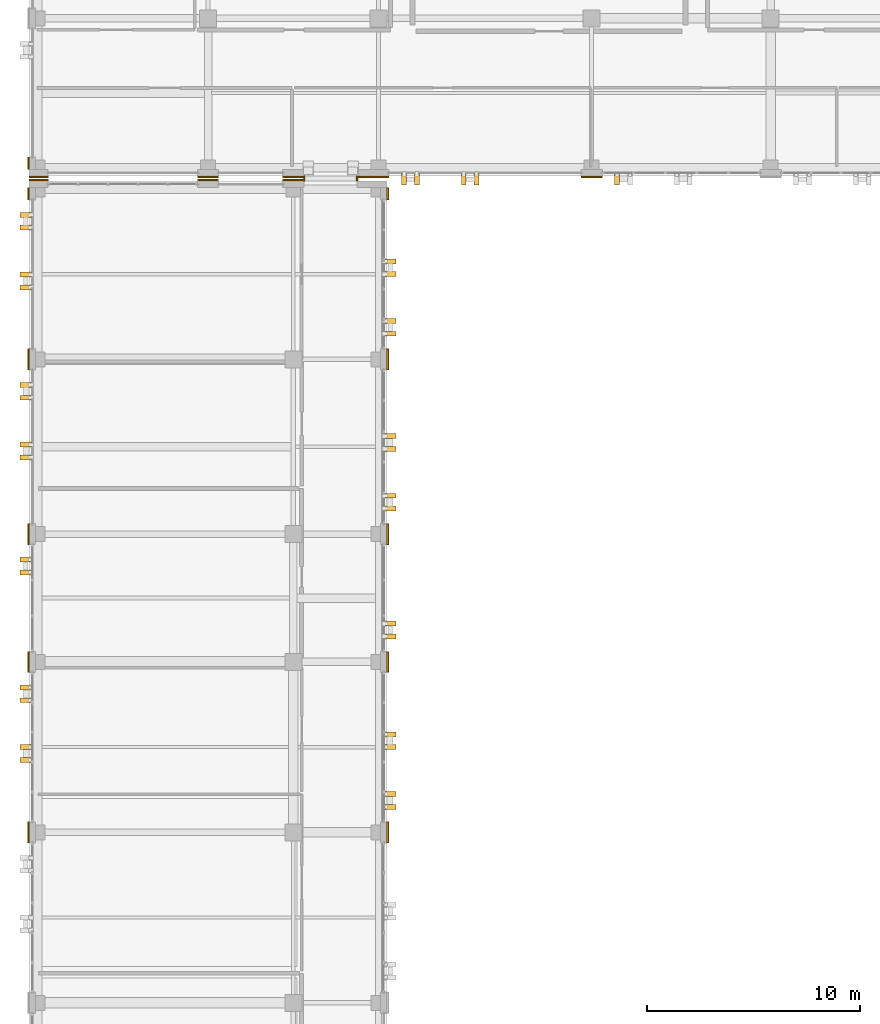
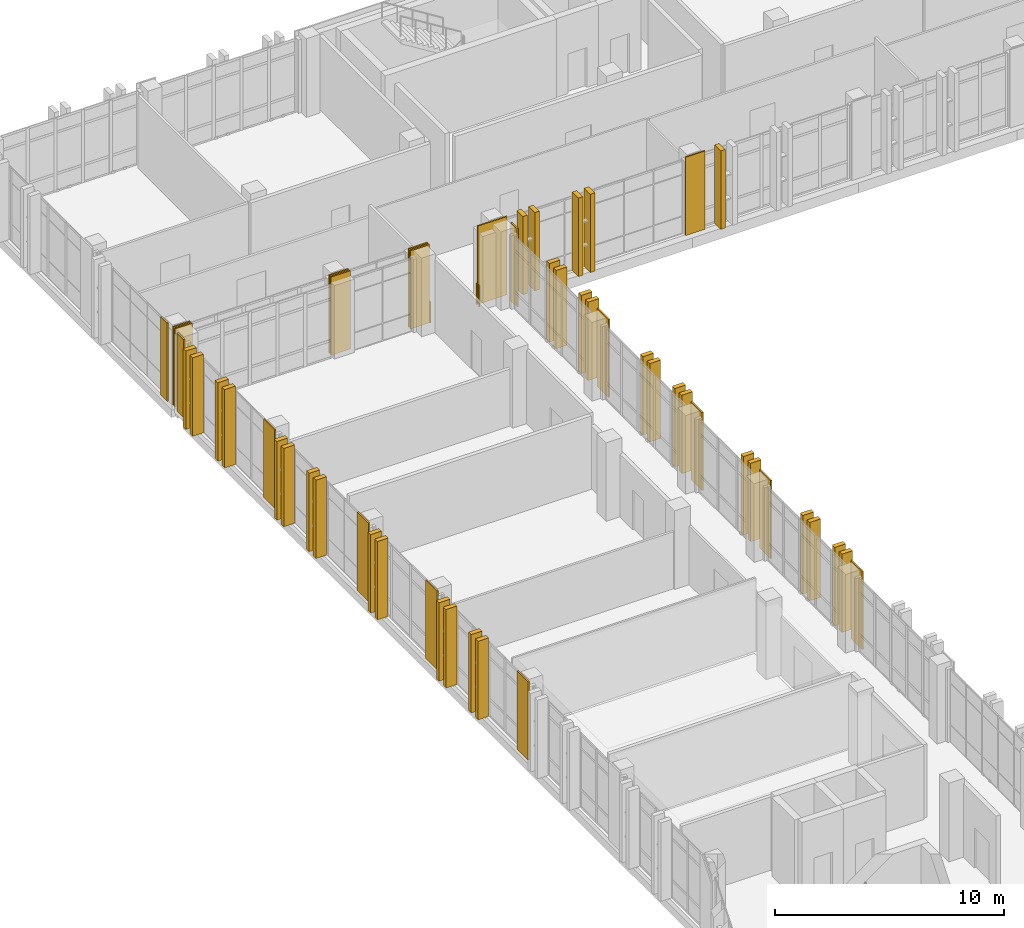
# One storey, part 182 of 193: 52 coverings, 2 railings.
"""IFC4 building model written with IfcOpenShell, lengths in metres."""

from ifc_helpers import new_model, si_unit, direction, frame, origin, origin_2d, place, context, subcontext, project, spatial, rectangle, circle, extrude, material, layer, layer_set, type_object, element, save


model = new_model("IFC4")

# Units and contexts
model_context = context("Model", 3, precision=1e-05, world=origin(), true_north=direction((0.0, 1.0)))
body_context = subcontext(model_context, "Body", "Model", "MODEL_VIEW")
ifc_project = project(units=[si_unit("LENGTHUNIT", "METRE"), si_unit("AREAUNIT", "SQUARE_METRE"), si_unit("VOLUMEUNIT", "CUBIC_METRE"), si_unit("PLANEANGLEUNIT", "RADIAN"), si_unit("MASSUNIT", "GRAM", prefix="KILO")], contexts=[model_context])

# Site, building, storey
site_placement = place(None, origin())
site = spatial("IfcSite", under=ifc_project, at=site_placement, CompositionType="ELEMENT")
building_placement = place(site_placement, origin())
building = spatial("IfcBuilding", under=site, at=building_placement, Name="Qalavern Law Courts", CompositionType="ELEMENT")
storey_placement = place(building_placement, frame((0.0, 0.0, 10.199951171875)))
storey = spatial("IfcBuildingStorey", under=building, at=storey_placement, Name="L02", CompositionType="ELEMENT", Elevation=10.199951171875)

# Railings
ifc_material_1 = material(Name="Steel S355", Category="steel")
railing_type = type_object("IfcRailingType", Name="ENV-BAL-1120", PredefinedType="BALUSTRADE", material=ifc_material_1)
for number, where, name in (
    (1, (14.909912109375, 95.97998046875, 0.0), "Bridge BR-V3-V5 joint guard L02-1"),
    (2, (17.389892578125, 95.97998046875, 0.0), "Bridge BR-V3-V5 joint guard L02-2"),
):
    element("IfcRailing", number, at=place(storey_placement, frame(where)), inside=storey, type_object=railing_type, Name=name, PredefinedType="BALUSTRADE", context=body_context, shape_type="SweptSolid", body=[
        extrude(circle(Radius=0.02392578125, at=origin_2d()), frame((0.0, 0.0, 1.09619140625), z_axis=(0.0, 1.0, 0.0), x_axis=(-1.0, 0.0, 0.0)), (0.0, 0.0, 1.0), 0.219970703125),
        extrude(circle(Radius=0.02099609375, at=origin_2d()), origin(), (0.0, 0.0, 1.0), 1.072021484375),
        extrude(circle(Radius=0.02099609375, at=origin_2d()), frame((0.0, 0.219970703125, 0.0)), (0.0, 0.0, 1.0), 1.072021484375),
    ])

# Coverings
ifc_material_2 = material(Name="Precast concrete C40/50", Category="concrete")
ifc_layer_1 = layer(ifc_material_2, 0.22998046875)
ifc_layer_set_1 = layer_set([ifc_layer_1], Name="Precast concrete C40/50")
covering_type_1 = type_object("IfcCoveringType", Name="ENV-BLD-2", PredefinedType="CLADDING", material=ifc_layer_set_1)
for number, where, z_axis, x_axis, name in (
    (3, (18.955078125, 66.60009765625, 0.005126953125), (0.0, 0.0, 1.0), (1.0, 0.0, 0.0), "Absheron stone facade blade 0261"),
    (4, (18.955078125, 67.199951171875, 0.005126953125), (0.0, 0.0, 1.0), (1.0, 0.0, 0.0), "Absheron stone facade blade 0262"),
    (5, (18.955078125, 69.39990234375, 0.005126953125), (0.0, 0.0, 1.0), (1.0, 0.0, 0.0), "Absheron stone facade blade 0263"),
    (6, (18.955078125, 70.0, 0.005126953125), (0.0, 0.0, 1.0), (1.0, 0.0, 0.0), "Absheron stone facade blade 0264"),
    (7, (18.955078125, 74.60009765625, 0.005126953125), (0.0, 0.0, 1.0), (1.0, 0.0, 0.0), "Absheron stone facade blade 0265"),
    (8, (18.955078125, 75.199951171875, 0.005126953125), (0.0, 0.0, 1.0), (1.0, 0.0, 0.0), "Absheron stone facade blade 0266"),
    (9, (18.955078125, 80.60009765625, 0.005126953125), (0.0, 0.0, 1.0), (1.0, 0.0, 0.0), "Absheron stone facade blade 0267"),
    (10, (18.955078125, 81.199951171875, 0.005126953125), (0.0, 0.0, 1.0), (1.0, 0.0, 0.0), "Absheron stone facade blade 0268"),
    (11, (18.955078125, 83.39990234375, 0.005126953125), (0.0, 0.0, 1.0), (1.0, 0.0, 0.0), "Absheron stone facade blade 0269"),
    (12, (18.955078125, 84.0, 0.005126953125), (0.0, 0.0, 1.0), (1.0, 0.0, 0.0), "Absheron stone facade blade 0270"),
    (13, (18.955078125, 88.800048828125, 0.005126953125), (0.0, 0.0, 1.0), (1.0, 0.0, 0.0), "Absheron stone facade blade 0271"),
    (14, (18.955078125, 89.39990234375, 0.005126953125), (0.0, 0.0, 1.0), (1.0, 0.0, 0.0), "Absheron stone facade blade 0272"),
    (15, (18.955078125, 91.60009765625, 0.005126953125), (0.0, 0.0, 1.0), (1.0, 0.0, 0.0), "Absheron stone facade blade 0273"),
    (16, (18.955078125, 92.199951171875, 0.005126953125), (0.0, 0.0, 1.0), (1.0, 0.0, 0.0), "Absheron stone facade blade 0274"),
    (17, (1.844970703125, 94.3798828125, 0.005126953125), (0.0, 0.0, 1.0), (-1.0, 0.0, 0.0), "Absheron stone facade blade 0275"),
    (18, (1.844970703125, 93.780029296875, 0.005126953125), (0.0, 0.0, 1.0), (-1.0, 0.0, 0.0), "Absheron stone facade blade 0276"),
    (19, (1.844970703125, 91.580078125, 0.005126953125), (0.0, 0.0, 1.0), (-1.0, 0.0, 0.0), "Absheron stone facade blade 0277"),
    (20, (1.844970703125, 90.97998046875, 0.005126953125), (0.0, 0.0, 1.0), (-1.0, 0.0, 0.0), "Absheron stone facade blade 0278"),
    (21, (1.844970703125, 86.39990234375, 0.005126953125), (0.0, 0.0, 1.0), (-1.0, 0.0, 0.0), "Absheron stone facade blade 0279"),
    (22, (1.844970703125, 85.800048828125, 0.005126953125), (0.0, 0.0, 1.0), (-1.0, 0.0, 0.0), "Absheron stone facade blade 0280"),
    (23, (1.844970703125, 83.60009765625, 0.005126953125), (0.0, 0.0, 1.0), (-1.0, 0.0, 0.0), "Absheron stone facade blade 0281"),
    (24, (1.844970703125, 83.0, 0.005126953125), (0.0, 0.0, 1.0), (-1.0, 0.0, 0.0), "Absheron stone facade blade 0282"),
    (25, (1.844970703125, 78.199951171875, 0.005126953125), (0.0, 0.0, 1.0), (-1.0, 0.0, 0.0), "Absheron stone facade blade 0283"),
    (26, (1.844970703125, 77.60009765625, 0.005126953125), (0.0, 0.0, 1.0), (-1.0, 0.0, 0.0), "Absheron stone facade blade 0284"),
    (27, (1.844970703125, 72.199951171875, 0.005126953125), (0.0, 0.0, 1.0), (-1.0, 0.0, 0.0), "Absheron stone facade blade 0285"),
    (28, (1.844970703125, 71.60009765625, 0.005126953125), (0.0, 0.0, 1.0), (-1.0, 0.0, 0.0), "Absheron stone facade blade 0286"),
    (29, (1.844970703125, 69.39990234375, 0.005126953125), (0.0, 0.0, 1.0), (-1.0, 0.0, 0.0), "Absheron stone facade blade 0287"),
    (30, (1.844970703125, 68.800048828125, 0.005126953125), (0.0, 0.0, 1.0), (-1.0, 0.0, 0.0), "Absheron stone facade blade 0288"),
    (31, (19.60009765625, 96.044921875, 0.005126953125), (0.0, 0.0, 1.0), (0.0, -1.0, 0.0), "Absheron stone facade blade 0953"),
    (32, (20.199951171875, 96.044921875, 0.005126953125), (0.0, 0.0, 1.0), (0.0, -1.0, 0.0), "Absheron stone facade blade 0954"),
    (33, (22.39990234375, 96.044921875, 0.005126953125), (0.0, 0.0, 1.0), (0.0, -1.0, 0.0), "Absheron stone facade blade 0955"),
    (34, (23.0, 96.044921875, 0.005126953125), (0.0, 0.0, 1.0), (0.0, -1.0, 0.0), "Absheron stone facade blade 0956"),
    (35, (29.60009765625, 96.044921875, 0.005126953125), (0.0, 0.0, 1.0), (0.0, -1.0, 0.0), "Absheron stone facade blade 0957"),
):
    element("IfcCovering", number, at=place(storey_placement, frame(where, z_axis=z_axis, x_axis=x_axis)), inside=storey, type_object=covering_type_1, Name=name, PredefinedType="CLADDING", context=body_context, shape_type="SweptSolid", body=[
        extrude(rectangle(XDim=0.5400390625, YDim=0.22998046875, at=origin_2d()), origin(), (0.0, 0.0, 1.0), 4.18994140625),
    ])
ifc_layer_2 = layer(ifc_material_2, 0.072021484375)
ifc_layer_set_2 = layer_set([ifc_layer_2], Name="Precast concrete C40/50")
covering_type_2 = type_object("IfcCoveringType", Name="ENV-CLD-2", PredefinedType="CLADDING", material=ifc_layer_set_2)
for number, where, z_axis, x_axis, name in (
    (36, (18.8330078125, 65.39990234375, 0.01025390625), (0.0, 0.0, 1.0), (0.0, 1.0, 0.0), "V3 Absheron limestone pier facing L02 east 4"),
    (37, (18.8330078125, 73.39990234375, 0.01025390625), (0.0, 0.0, 1.0), (0.0, 1.0, 0.0), "V3 Absheron limestone pier facing L02 east 5"),
    (38, (18.8330078125, 79.39990234375, 0.01025390625), (0.0, 0.0, 1.0), (0.0, 1.0, 0.0), "V3 Absheron limestone pier facing L02 east 6"),
    (39, (18.8330078125, 87.60009765625, 0.01025390625), (0.0, 0.0, 1.0), (0.0, 1.0, 0.0), "V3 Absheron limestone pier facing L02 east 7"),
):
    element("IfcCovering", number, at=place(storey_placement, frame(where, z_axis=z_axis, x_axis=x_axis)), inside=storey, type_object=covering_type_2, Name=name, PredefinedType="CLADDING", context=body_context, shape_type="SweptSolid", body=[
        extrude(rectangle(XDim=0.97998046875, YDim=0.072021484375, at=origin_2d()), origin(), (0.0, 0.0, 1.0), 4.179931640625),
    ])
covering_1_placement = place(storey_placement, frame((18.8330078125, 95.37744140625, 0.01025390625), z_axis=(0.0, 0.0, 1.0), x_axis=(0.0, 1.0, 0.0)))
element("IfcCovering", 40, at=covering_1_placement, inside=storey, type_object=covering_type_2, Name="V3 Absheron limestone pier facing L02 east 8", PredefinedType="CLADDING", context=body_context, shape_type="SweptSolid", body=[
    extrude(rectangle(XDim=0.574951171875, YDim=0.072021484375, at=origin_2d()), origin(), (0.0, 0.0, 1.0), 4.179931640625),
])
for number, where, z_axis, x_axis, name in (
    (41, (14.39990234375, 96.012939453125, 0.01025390625), (0.0, 0.0, 1.0), (-1.0, 0.0, 0.0), "V3 Absheron limestone pier facing L02 north 1"),
    (42, (10.39990234375, 96.012939453125, 0.01025390625), (0.0, 0.0, 1.0), (-1.0, 0.0, 0.0), "V3 Absheron limestone pier facing L02 north 2"),
):
    element("IfcCovering", number, at=place(storey_placement, frame(where, z_axis=z_axis, x_axis=x_axis)), inside=storey, type_object=covering_type_2, Name=name, PredefinedType="CLADDING", context=body_context, shape_type="SweptSolid", body=[
        extrude(rectangle(XDim=0.97998046875, YDim=0.072021484375, at=origin_2d()), origin(), (0.0, 0.0, 1.0), 4.179931640625),
    ])
covering_2_placement = place(storey_placement, frame((2.449951171875, 96.012939453125, 0.01025390625), z_axis=(0.0, 0.0, 1.0), x_axis=(-1.0, 0.0, 0.0)))
element("IfcCovering", 43, at=covering_2_placement, inside=storey, type_object=covering_type_2, Name="V3 Absheron limestone pier facing L02 north 3", PredefinedType="CLADDING", context=body_context, shape_type="SweptSolid", body=[
    extrude(rectangle(XDim=0.8798828125, YDim=0.072021484375, at=origin_2d()), origin(), (0.0, 0.0, 1.0), 4.179931640625),
])
covering_3_placement = place(storey_placement, frame((1.967041015625, 95.37744140625, 0.01025390625), z_axis=(0.0, 0.0, 1.0), x_axis=(0.0, -1.0, 0.0)))
element("IfcCovering", 44, at=covering_3_placement, inside=storey, type_object=covering_type_2, Name="V3 Absheron limestone pier facing L02 west 1", PredefinedType="CLADDING", context=body_context, shape_type="SweptSolid", body=[
    extrude(rectangle(XDim=0.574951171875, YDim=0.072021484375, at=origin_2d()), origin(), (0.0, 0.0, 1.0), 4.179931640625),
])
for number, where, z_axis, x_axis, name in (
    (45, (1.967041015625, 87.60009765625, 0.01025390625), (0.0, 0.0, 1.0), (0.0, -1.0, 0.0), "V3 Absheron limestone pier facing L02 west 2"),
    (46, (1.967041015625, 79.39990234375, 0.01025390625), (0.0, 0.0, 1.0), (0.0, -1.0, 0.0), "V3 Absheron limestone pier facing L02 west 3"),
    (47, (1.967041015625, 73.39990234375, 0.01025390625), (0.0, 0.0, 1.0), (0.0, -1.0, 0.0), "V3 Absheron limestone pier facing L02 west 4"),
    (48, (1.967041015625, 65.39990234375, 0.01025390625), (0.0, 0.0, 1.0), (0.0, -1.0, 0.0), "V3 Absheron limestone pier facing L02 west 5"),
):
    element("IfcCovering", number, at=place(storey_placement, frame(where, z_axis=z_axis, x_axis=x_axis)), inside=storey, type_object=covering_type_2, Name=name, PredefinedType="CLADDING", context=body_context, shape_type="SweptSolid", body=[
        extrude(rectangle(XDim=0.97998046875, YDim=0.072021484375, at=origin_2d()), origin(), (0.0, 0.0, 1.0), 4.179931640625),
    ])
covering_4_placement = place(storey_placement, frame((2.449951171875, 96.1669921875, 0.01025390625), z_axis=(0.0, 0.0, 1.0), x_axis=(1.0, 0.0, 0.0)))
element("IfcCovering", 49, at=covering_4_placement, inside=storey, type_object=covering_type_2, Name="V5 Absheron limestone pier facing L02 south 1", PredefinedType="CLADDING", context=body_context, shape_type="SweptSolid", body=[
    extrude(rectangle(XDim=0.8798828125, YDim=0.072021484375, at=origin_2d()), origin(), (0.0, 0.0, 1.0), 4.179931640625),
])
for number, where, z_axis, x_axis, name in (
    (50, (10.39990234375, 96.1669921875, 0.01025390625), (0.0, 0.0, 1.0), (1.0, 0.0, 0.0), "V5 Absheron limestone pier facing L02 south 2"),
    (51, (14.39990234375, 96.1669921875, 0.01025390625), (0.0, 0.0, 1.0), (1.0, 0.0, 0.0), "V5 Absheron limestone pier facing L02 south 3"),
):
    element("IfcCovering", number, at=place(storey_placement, frame(where, z_axis=z_axis, x_axis=x_axis)), inside=storey, type_object=covering_type_2, Name=name, PredefinedType="CLADDING", context=body_context, shape_type="SweptSolid", body=[
        extrude(rectangle(XDim=0.97998046875, YDim=0.072021484375, at=origin_2d()), origin(), (0.0, 0.0, 1.0), 4.179931640625),
    ])
covering_5_placement = place(storey_placement, frame((18.14990234375, 96.1669921875, 0.01025390625), z_axis=(0.0, 0.0, 1.0), x_axis=(1.0, 0.0, 0.0)))
element("IfcCovering", 52, at=covering_5_placement, inside=storey, type_object=covering_type_2, Name="V5 Absheron limestone pier facing L02 south 1", PredefinedType="CLADDING", context=body_context, shape_type="SweptSolid", body=[
    extrude(rectangle(XDim=1.47998046875, YDim=0.072021484375, at=origin_2d()), origin(), (0.0, 0.0, 1.0), 4.179931640625),
])
covering_6_placement = place(storey_placement, frame((28.39990234375, 96.1669921875, 0.01025390625), z_axis=(0.0, 0.0, 1.0), x_axis=(1.0, 0.0, 0.0)))
element("IfcCovering", 53, at=covering_6_placement, inside=storey, type_object=covering_type_2, Name="V5 Absheron limestone pier facing L02 south 2", PredefinedType="CLADDING", context=body_context, shape_type="SweptSolid", body=[
    extrude(rectangle(XDim=0.97998046875, YDim=0.072021484375, at=origin_2d()), origin(), (0.0, 0.0, 1.0), 4.179931640625),
])
covering_7_placement = place(storey_placement, frame((1.967041015625, 96.802490234375, 0.01025390625), z_axis=(0.0, 0.0, 1.0), x_axis=(0.0, -1.0, 0.0)))
element("IfcCovering", 54, at=covering_7_placement, inside=storey, type_object=covering_type_2, Name="V5 Absheron limestone pier facing L02 west 3", PredefinedType="CLADDING", context=body_context, shape_type="SweptSolid", body=[
    extrude(rectangle(XDim=0.574951171875, YDim=0.072021484375, at=origin_2d()), origin(), (0.0, 0.0, 1.0), 4.179931640625),
])

save(model, "model.ifc")
